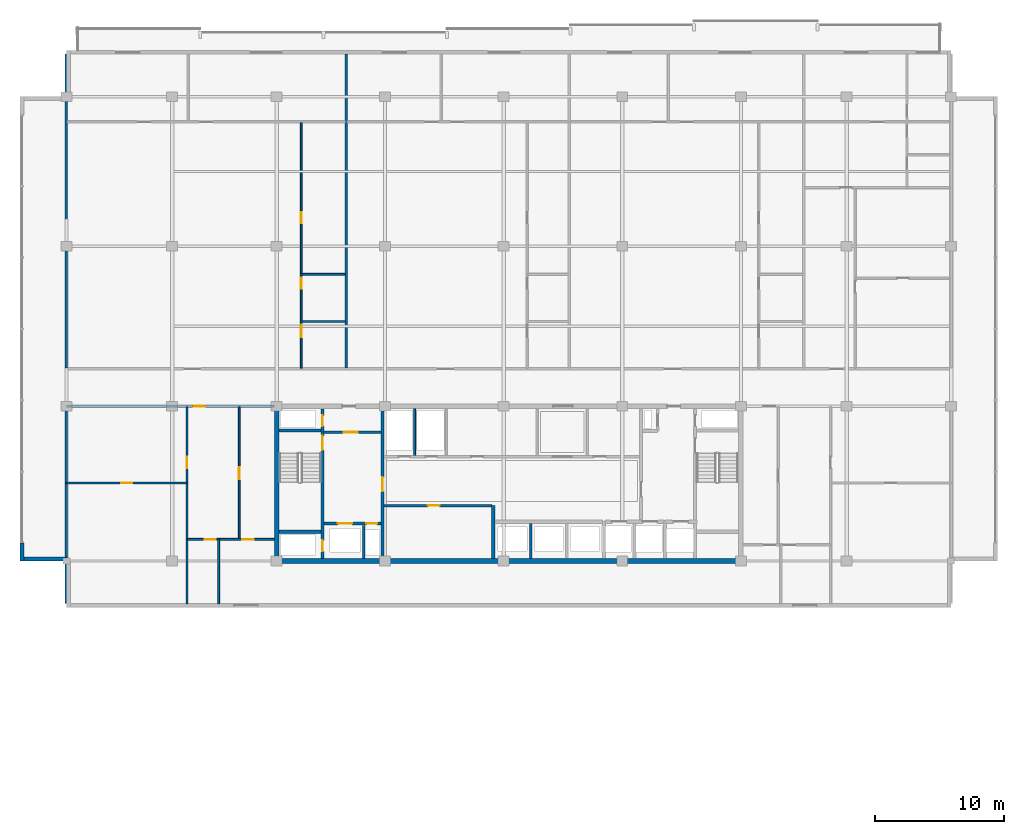
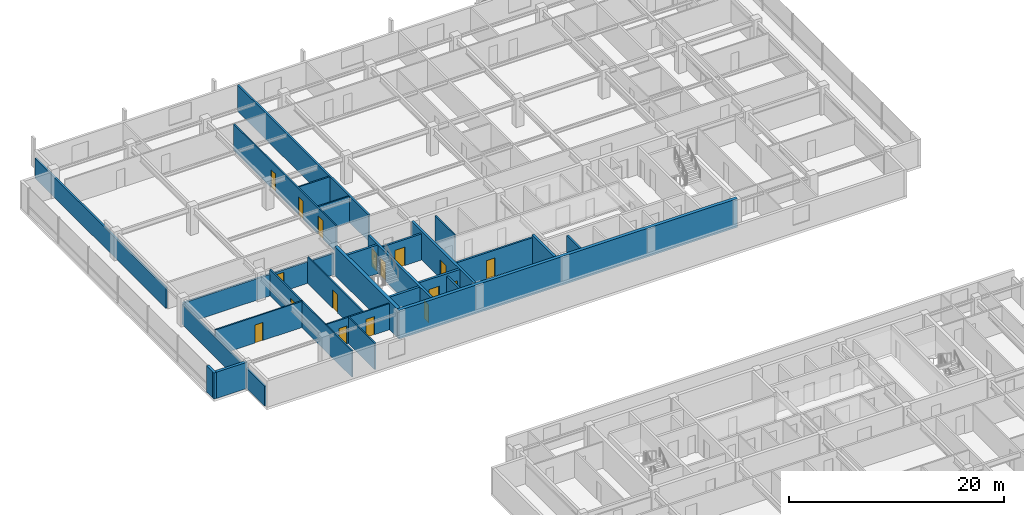
# One storey, part 22 of 32: 27 walls, 17 doors, 17 openings.
"""IFC4 building model written with IfcOpenShell, lengths in metres."""

from ifc_helpers import new_model, si_unit, direction, frame, frame_2d, origin, place, context, subcontext, project, spatial, rectangle, extrude, material, layer, layer_set, type_object, element, fill, save


model = new_model("IFC4")

# Units and contexts
model_context = context("Model", 3, precision=1e-05, world=origin(), true_north=direction((0.0, 1.0)))
body_context = subcontext(model_context, "Body", "Model", "MODEL_VIEW")
ifc_project = project(units=[si_unit("LENGTHUNIT", "METRE"), si_unit("AREAUNIT", "SQUARE_METRE"), si_unit("VOLUMEUNIT", "CUBIC_METRE"), si_unit("PLANEANGLEUNIT", "RADIAN"), si_unit("MASSUNIT", "GRAM", prefix="KILO")], contexts=[model_context])

# Site, building, storey
site_placement = place(None, origin())
site = spatial("IfcSite", under=ifc_project, at=site_placement, CompositionType="ELEMENT")
building_placement = place(site_placement, origin())
building = spatial("IfcBuilding", under=site, at=building_placement, Name="Korimba Cascade Residences", CompositionType="ELEMENT")
storey_placement = place(building_placement, frame((0.0, 0.0, 178.35009765625)))
storey = spatial("IfcBuildingStorey", under=building, at=storey_placement, Name="L51", CompositionType="ELEMENT", Elevation=178.35009765625)

# Walls
ifc_material_1 = material(Name="Precast concrete C40/50", Category="concrete")
ifc_layer_1 = layer(ifc_material_1, 0.300048828125)
ifc_layer_set_1 = layer_set([ifc_layer_1], Name="Precast concrete C40/50")
wall_type_1 = type_object("IfcWallType", Name="EW-STONE-300", PredefinedType="STANDARD", material=ifc_layer_set_1)
wall_1_placement = place(storey_placement, frame((56.35009765625, 56.60009765625, 0.0), z_axis=(0.0, 0.0, 1.0), x_axis=(0.0, -1.0, 0.0)))
element("IfcWall", 1, at=wall_1_placement, inside=storey, type_object=wall_type_1, Name="L51 T1 Sky Pier 9B", PredefinedType="STANDARD", context=body_context, shape_type="SweptSolid", body=[
    extrude(rectangle(XDim=1.400146484375, YDim=0.300048828125, at=frame_2d((0.7001953125, 0.0))), origin(), (0.0, 0.0, 1.0), 2.969970703125),
])
wall_2_placement = place(storey_placement, frame((56.199951171875, 55.35009765625, 0.0), z_axis=(0.0, 0.0, 1.0), x_axis=(1.0, 0.0, 0.0)))
element("IfcWall", 2, at=wall_2_placement, inside=storey, type_object=wall_type_1, Name="L51 T1 Perimeter Stone Wall E10", PredefinedType="STANDARD", context=body_context, shape_type="SweptSolid", body=[
    extrude(rectangle(XDim=3.60009765625, YDim=0.300048828125, at=frame_2d((1.800048828125, 0.0))), origin(), (0.0, 0.0, 1.0), 2.969970703125),
])
ifc_material_2 = material(Name="Concrete C65/80", Category="concrete")
ifc_layer_2 = layer(ifc_material_2, 0.35009765625)
ifc_layer_set_2 = layer_set([ifc_layer_2], Name="Concrete C65/80")
wall_type_2 = type_object("IfcWallType", Name="WAL-CORE-350", PredefinedType="SHEAR", material=ifc_layer_set_2)
wall_3_placement = place(storey_placement, frame((75.949951171875, 55.199951171875, 0.0), z_axis=(0.0, 0.0, 1.0), x_axis=(1.0, 0.0, 0.0)))
element("IfcWall", 3, at=wall_3_placement, inside=storey, type_object=wall_type_2, Name="L51 Core Shear Wall CW-L51-T1-S", PredefinedType="SHEAR", context=body_context, shape_type="SweptSolid", body=[
    extrude(rectangle(XDim=36.300048828125, YDim=0.35009765625, at=frame_2d((18.14990234375, 0.0))), origin(), (0.0, 0.0, 1.0), 3.25),
])
wall_4_placement = place(storey_placement, frame((76.125, 55.375, 0.0), z_axis=(0.0, 0.0, 1.0), x_axis=(0.0, 1.0, 0.0)))
element("IfcWall", 4, at=wall_4_placement, inside=storey, type_object=wall_type_2, Name="L51 Core Shear Wall CW-L51-T1-W", PredefinedType="SHEAR", context=body_context, shape_type="SweptSolid", body=[
    extrude(rectangle(XDim=11.64990234375, YDim=0.35009765625, at=frame_2d((5.824951171875, 0.0))), origin(), (0.0, 0.0, 1.0), 3.25),
])
ifc_layer_3 = layer(ifc_material_1, 0.199951171875)
ifc_layer_set_3 = layer_set([ifc_layer_3], Name="Precast concrete C40/50")
wall_type_3 = type_object("IfcWallType", Name="WAL-IT-200", PredefinedType="PARTITIONING", material=ifc_layer_set_3)
wall_5_placement = place(storey_placement, frame((59.800048828125, 51.89990234375, 0.0), z_axis=(0.0, 0.0, 1.0), x_axis=(0.0, 1.0, 0.0)))
element("IfcWall", 5, at=wall_5_placement, inside=storey, type_object=wall_type_3, Name="L51 Partition Wall WAL-L51-T1-FW-WL", PredefinedType="PARTITIONING", context=body_context, shape_type="SweptSolid", body=[
    extrude(rectangle(XDim=15.300048828125, YDim=0.199951171875, at=frame_2d((7.64990234375, 0.0))), origin(), (0.0, 0.0, 1.0), 2.277099609375),
])

# Wall, opening, door
wall_6_placement = place(storey_placement, frame((59.800048828125, 67.199951171875, 0.0), z_axis=(0.0, 0.0, 1.0), x_axis=(1.0, 0.0, 0.0)))
wall_6 = element("IfcWall", 6, at=wall_6_placement, inside=storey, type_object=wall_type_3, Name="L51 Partition Wall WAL-L51-T1-FW-N", PredefinedType="PARTITIONING", context=body_context, shape_type="SweptSolid", body=[
    extrude(rectangle(XDim=16.14990234375, YDim=0.199951171875, at=frame_2d((8.074951171875, 0.0))), origin(), (0.0, 0.0, 1.0), 2.43310546875),
])
opening_1_placement = place(wall_6_placement, frame((9.823486328125, 0.0, 0.0)))
opening_1 = element("IfcOpeningElement", 7, at=opening_1_placement, cuts=wall_6, Name="Opening D-UN1", PredefinedType="OPENING", context=body_context, shape_type="SweptSolid", body=[
    extrude(rectangle(XDim=0.949951171875, YDim=2.14990234375, at=frame_2d((0.47509765625, 1.074951171875))), frame((0.0, 0.10986328125, 0.0), z_axis=(0.0, -1.0, 0.0), x_axis=(1.0, 0.0, 0.0)), (0.0, 0.0, 1.0), 0.219970703125),
])
ifc_material_3 = material(Name="Fire-Rated Hardwood Apartment Entrance Door", Category="wood")
door_type_1 = type_object("IfcDoorType", Name="DR-FD60-950", OperationType="NOTDEFINED", PredefinedType="DOOR", material=ifc_material_3)
door_1_placement = place(opening_1_placement, origin())
door_1 = element("IfcDoor", 8, at=door_1_placement, inside=storey, type_object=door_type_1, Name="L51-T1-FW Entrance Door", OperationType="SINGLE_SWING_RIGHT", OverallHeight=2.14990234375, OverallWidth=0.949951171875, PredefinedType="DOOR", context=body_context, shape_type="SweptSolid", body=[
    extrude(rectangle(XDim=0.949951171875, YDim=2.14990234375, at=frame_2d((0.47509765625, 1.074951171875))), frame((0.0, 0.02490234375, 0.0), z_axis=(0.0, -1.0, 0.0), x_axis=(1.0, 0.0, 0.0)), (0.0, 0.0, 1.0), 0.050048828125),
])
fill(opening_1, door_1)

# Walls
wall_7_placement = place(storey_placement, frame((59.800048828125, 70.179931640625, 0.0), z_axis=(0.0, 0.0, 1.0), x_axis=(0.0, 1.0, 0.0)))
element("IfcWall", 9, at=wall_7_placement, inside=storey, type_object=wall_type_3, Name="L51 Partition Wall WAL-L51-T1-BNDWL", PredefinedType="PARTITIONING", context=body_context, shape_type="SweptSolid", body=[
    extrude(rectangle(XDim=24.320068359375, YDim=0.199951171875, at=frame_2d((12.16015625, 0.0))), origin(), (0.0, 0.0, 1.0), 2.277099609375),
])
wall_8_placement = place(storey_placement, frame((81.5078125, 70.179931640625, 0.0), z_axis=(0.0, 0.0, 1.0), x_axis=(0.0, 1.0, 0.0)))
element("IfcWall", 10, at=wall_8_placement, inside=storey, type_object=wall_type_3, Name="L51 Partition Wall WAL-L51-T1-DEM-1", PredefinedType="PARTITIONING", context=body_context, shape_type="SweptSolid", body=[
    extrude(rectangle(XDim=24.320068359375, YDim=0.199951171875, at=frame_2d((12.16015625, 0.0))), origin(), (0.0, 0.0, 1.0), 2.969970703125),
])
ifc_material_4 = material(Name="Insulated Acoustic Stud Partition", Category="gypsum")
ifc_layer_4 = layer(ifc_material_4, 0.14990234375)
ifc_layer_set_4 = layer_set([ifc_layer_4], Name="Insulated Acoustic Stud Partition")
wall_type_4 = type_object("IfcWallType", Name="WAL-PART-150", PredefinedType="PARTITIONING", material=ifc_layer_set_4)
wall_9_placement = place(storey_placement, frame((86.800048828125, 63.39990234375, 0.0), z_axis=(0.0, 0.0, 1.0), x_axis=(0.0, 1.0, 0.0)))
element("IfcWall", 11, at=wall_9_placement, inside=storey, type_object=wall_type_4, Name="L51 Partition Wall CW-L51-T1-ERDIV", PredefinedType="PARTITIONING", context=body_context, shape_type="SweptSolid", body=[
    extrude(rectangle(XDim=3.60009765625, YDim=0.14990234375, at=frame_2d((1.800048828125, 0.0))), origin(), (0.0, 0.0, 1.0), 2.969970703125),
])

# Wall, opening, door
wall_10_placement = place(storey_placement, frame((59.800048828125, 61.25, 0.0), z_axis=(0.0, 0.0, 1.0), x_axis=(1.0, 0.0, 0.0)))
wall_10 = element("IfcWall", 12, at=wall_10_placement, inside=storey, type_object=wall_type_4, Name="L51 Partition Wall WAL-L51-T1-FW-STH", PredefinedType="PARTITIONING", context=body_context, shape_type="SweptSolid", body=[
    extrude(rectangle(XDim=9.349853515625, YDim=0.14990234375, at=frame_2d((4.6748046875, 0.0))), origin(), (0.0, 0.0, 1.0), 2.969970703125),
])
opening_2_placement = place(wall_10_placement, frame((4.2548828125, 0.0, 0.0)))
opening_2 = element("IfcOpeningElement", 13, at=opening_2_placement, cuts=wall_10, Name="Opening D-BT1", PredefinedType="OPENING", context=body_context, shape_type="SweptSolid", body=[
    extrude(rectangle(XDim=0.840087890625, YDim=2.0400390625, at=frame_2d((0.419921875, 1.02001953125))), frame((0.0, 0.0849609375, 0.0), z_axis=(0.0, -1.0, 0.0), x_axis=(1.0, 0.0, 0.0)), (0.0, 0.0, 1.0), 0.169921875),
])
ifc_material_5 = material(Name="Moisture-Resistant Bathroom Timber Door", Category="wood")
door_type_2 = type_object("IfcDoorType", Name="DR-INT-850", OperationType="NOTDEFINED", PredefinedType="DOOR", material=ifc_material_5)
door_2_placement = place(opening_2_placement, origin())
door_2 = element("IfcDoor", 14, at=door_2_placement, inside=storey, type_object=door_type_2, Name="L51-T1-FW Dressing Store Door", OperationType="SINGLE_SWING_LEFT", OverallHeight=2.0400390625, OverallWidth=0.840087890625, PredefinedType="DOOR", context=body_context, shape_type="SweptSolid", body=[
    extrude(rectangle(XDim=0.840087890625, YDim=2.0400390625, at=frame_2d((0.419921875, 1.02001953125))), frame((0.0, 0.02490234375, 0.0), z_axis=(0.0, -1.0, 0.0), x_axis=(1.0, 0.0, 0.0)), (0.0, 0.0, 1.0), 0.050048828125),
])
fill(opening_2, door_2)

wall_11_placement = place(storey_placement, frame((69.14990234375, 51.89990234375, 0.0), z_axis=(0.0, 0.0, 1.0), x_axis=(0.0, 1.0, 0.0)))
wall_11 = element("IfcWall", 15, at=wall_11_placement, inside=storey, type_object=wall_type_4, Name="L51 Partition Wall WAL-L51-T1-FW-STV", PredefinedType="PARTITIONING", context=body_context, shape_type="SweptSolid", body=[
    extrude(rectangle(XDim=15.25, YDim=0.14990234375, at=frame_2d((7.625, 0.0))), origin(), (0.0, 0.0, 1.0), 2.969970703125),
])
opening_3_placement = place(wall_11_placement, frame((10.5, 0.0, 0.0)))
opening_3 = element("IfcOpeningElement", 16, at=opening_3_placement, cuts=wall_11, Name="Opening D-IN2", PredefinedType="OPENING", context=body_context, shape_type="SweptSolid", body=[
    extrude(rectangle(XDim=0.8798828125, YDim=2.06005859375, at=frame_2d((0.43994140625, 1.030029296875))), frame((0.0, 0.0849609375, 0.0), z_axis=(0.0, -1.0, 0.0), x_axis=(1.0, 0.0, 0.0)), (0.0, 0.0, 1.0), 0.169921875),
])
ifc_material_6 = material(Name="Acoustic Timber Bedroom Door", Category="wood")
door_type_3 = type_object("IfcDoorType", Name="DR-INT-880", OperationType="NOTDEFINED", PredefinedType="DOOR", material=ifc_material_6)
door_3_placement = place(opening_3_placement, origin())
door_3 = element("IfcDoor", 17, at=door_3_placement, inside=storey, type_object=door_type_3, Name="L51-T1-FW Study Door", OperationType="SINGLE_SWING_RIGHT", OverallHeight=2.06005859375, OverallWidth=0.8798828125, PredefinedType="DOOR", context=body_context, shape_type="SweptSolid", body=[
    extrude(rectangle(XDim=0.8798828125, YDim=2.06005859375, at=frame_2d((0.43994140625, 1.030029296875))), frame((0.0, 0.02490234375, 0.0), z_axis=(0.0, -1.0, 0.0), x_axis=(1.0, 0.0, 0.0)), (0.0, 0.0, 1.0), 0.050048828125),
])
fill(opening_3, door_3)

wall_12_placement = place(storey_placement, frame((73.199951171875, 56.8701171875, 0.0), z_axis=(0.0, 0.0, 1.0), x_axis=(0.0, 1.0, 0.0)))
wall_12 = element("IfcWall", 18, at=wall_12_placement, inside=storey, type_object=wall_type_4, Name="L51 Partition Wall WAL-L51-T1-FW-VN", PredefinedType="PARTITIONING", context=body_context, shape_type="SweptSolid", body=[
    extrude(rectangle(XDim=10.27978515625, YDim=0.14990234375, at=frame_2d((5.139892578125, 0.0))), origin(), (0.0, 0.0, 1.0), 2.969970703125),
])
opening_4_placement = place(wall_12_placement, frame((4.679931640625, 0.0, 0.0)))
opening_4 = element("IfcOpeningElement", 19, at=opening_4_placement, cuts=wall_12, Name="Opening D-IN1", PredefinedType="OPENING", context=body_context, shape_type="SweptSolid", body=[
    extrude(rectangle(XDim=0.919921875, YDim=2.080078125, at=frame_2d((0.4599609375, 1.0400390625))), frame((0.0, 0.0849609375, 0.0), z_axis=(0.0, -1.0, 0.0), x_axis=(1.0, 0.0, 0.0)), (0.0, 0.0, 1.0), 0.169921875),
])
ifc_material_7 = material(Name="Acoustic Timber Living Door", Category="wood")
door_type_4 = type_object("IfcDoorType", Name="DR-INT-920", OperationType="NOTDEFINED", PredefinedType="DOOR", material=ifc_material_7)
door_4_placement = place(opening_4_placement, origin())
door_4 = element("IfcDoor", 20, at=door_4_placement, inside=storey, type_object=door_type_4, Name="L51-T1-FW Living Door", OperationType="SINGLE_SWING_LEFT", OverallHeight=2.080078125, OverallWidth=0.919921875, PredefinedType="DOOR", context=body_context, shape_type="SweptSolid", body=[
    extrude(rectangle(XDim=0.919921875, YDim=2.080078125, at=frame_2d((0.4599609375, 1.0400390625))), frame((0.0, 0.02490234375, 0.0), z_axis=(0.0, -1.0, 0.0), x_axis=(1.0, 0.0, 0.0)), (0.0, 0.0, 1.0), 0.050048828125),
])
fill(opening_4, door_4)

# Wall
wall_13_placement = place(storey_placement, frame((71.60009765625, 51.89990234375, 0.0), z_axis=(0.0, 0.0, 1.0), x_axis=(0.0, 1.0, 0.0)))
element("IfcWall", 21, at=wall_13_placement, inside=storey, type_object=wall_type_4, Name="L51 Partition Wall WAL-L51-T1-FW-VS", PredefinedType="PARTITIONING", context=body_context, shape_type="SweptSolid", body=[
    extrude(rectangle(XDim=4.97021484375, YDim=0.14990234375, at=frame_2d((2.485107421875, 0.0))), origin(), (0.0, 0.0, 1.0), 2.969970703125),
])

# Wall, openings, doors
wall_14_placement = place(storey_placement, frame((69.169921875, 56.8701171875, 0.0), z_axis=(0.0, 0.0, 1.0), x_axis=(1.0, 0.0, 0.0)))
wall_14 = element("IfcWall", 22, at=wall_14_placement, inside=storey, type_object=wall_type_4, Name="L51 Partition Wall WAL-L51-T1-FW-H", PredefinedType="PARTITIONING", context=body_context, shape_type="SweptSolid", body=[
    extrude(rectangle(XDim=6.760009765625, YDim=0.14990234375, at=frame_2d((3.3798828125, 0.0))), origin(), (0.0, 0.0, 1.0), 2.969970703125),
])
opening_5_placement = place(wall_14_placement, frame((1.3623046875, 0.0, 0.0)))
opening_5 = element("IfcOpeningElement", 23, at=opening_5_placement, cuts=wall_14, Name="Opening D-BT1", PredefinedType="OPENING", context=body_context, shape_type="SweptSolid", body=[
    extrude(rectangle(XDim=0.840087890625, YDim=2.0400390625, at=frame_2d((0.419921875, 1.02001953125))), frame((0.0, 0.0849609375, 0.0), z_axis=(0.0, -1.0, 0.0), x_axis=(1.0, 0.0, 0.0)), (0.0, 0.0, 1.0), 0.169921875),
])
opening_6_placement = place(wall_14_placement, frame((4.276611328125, 0.0, 0.0)))
opening_6 = element("IfcOpeningElement", 24, at=opening_6_placement, cuts=wall_14, Name="Opening D-IN2", PredefinedType="OPENING", context=body_context, shape_type="SweptSolid", body=[
    extrude(rectangle(XDim=0.8798828125, YDim=2.06005859375, at=frame_2d((0.43994140625, 1.030029296875))), frame((0.0, 0.0849609375, 0.0), z_axis=(0.0, -1.0, 0.0), x_axis=(1.0, 0.0, 0.0)), (0.0, 0.0, 1.0), 0.169921875),
])
door_5_placement = place(opening_5_placement, origin())
door_5 = element("IfcDoor", 25, at=door_5_placement, inside=storey, type_object=door_type_2, Name="L51-T1-FW Bathroom Door", OperationType="SINGLE_SWING_RIGHT", OverallHeight=2.0400390625, OverallWidth=0.840087890625, PredefinedType="DOOR", context=body_context, shape_type="SweptSolid", body=[
    extrude(rectangle(XDim=0.840087890625, YDim=2.0400390625, at=frame_2d((0.419921875, 1.02001953125))), frame((0.0, 0.02490234375, 0.0), z_axis=(0.0, -1.0, 0.0), x_axis=(1.0, 0.0, 0.0)), (0.0, 0.0, 1.0), 0.050048828125),
])
fill(opening_5, door_5)
door_6_placement = place(opening_6_placement, origin())
door_6 = element("IfcDoor", 26, at=door_6_placement, inside=storey, type_object=door_type_3, Name="L51-T1-FW Bedroom Door", OperationType="SINGLE_SWING_LEFT", OverallHeight=2.06005859375, OverallWidth=0.8798828125, PredefinedType="DOOR", context=body_context, shape_type="SweptSolid", body=[
    extrude(rectangle(XDim=0.8798828125, YDim=2.06005859375, at=frame_2d((0.43994140625, 1.030029296875))), frame((0.0, 0.02490234375, 0.0), z_axis=(0.0, -1.0, 0.0), x_axis=(1.0, 0.0, 0.0)), (0.0, 0.0, 1.0), 0.050048828125),
])
fill(opening_6, door_6)

# Walls
for number, where, z_axis, x_axis, name in (
    (27, (78.067626953125, 73.77001953125, 0.0), (0.0, 0.0, 1.0), (1.0, 0.0, 0.0), "L51 Partition Wall WAL-L51-T1-U01-WCH"),
    (28, (78.067626953125, 77.419921875, 0.0), (0.0, 0.0, 1.0), (1.0, 0.0, 0.0), "L51 Partition Wall WAL-L51-T1-U01-WCH2"),
):
    element("IfcWall", number, at=place(storey_placement, frame(where, z_axis=z_axis, x_axis=x_axis)), inside=storey, type_object=wall_type_4, Name=name, PredefinedType="PARTITIONING", context=body_context, shape_type="SweptSolid", body=[
        extrude(rectangle(XDim=3.360107421875, YDim=0.14990234375, at=frame_2d((1.68017578125, 0.0))), origin(), (0.0, 0.0, 1.0), 2.969970703125),
    ])

# Wall, openings, doors
wall_15_placement = place(storey_placement, frame((78.0078125, 70.159912109375, 0.0), z_axis=(0.0, 0.0, 1.0), x_axis=(0.0, 1.0, 0.0)))
wall_15 = element("IfcWall", 29, at=wall_15_placement, inside=storey, type_object=wall_type_4, Name="L51 Partition Wall WAL-L51-T1-U01-WCV", PredefinedType="PARTITIONING", context=body_context, shape_type="SweptSolid", body=[
    extrude(rectangle(XDim=19.030029296875, YDim=0.14990234375, at=frame_2d((9.51513671875, 0.0))), origin(), (0.0, 0.0, 1.0), 2.969970703125),
])
opening_7_placement = place(wall_15_placement, frame((2.406005859375, 0.0, 0.0)))
opening_7 = element("IfcOpeningElement", 30, at=opening_7_placement, cuts=wall_15, Name="Opening D-AC1", PredefinedType="OPENING", context=body_context, shape_type="SweptSolid", body=[
    extrude(rectangle(XDim=0.9599609375, YDim=2.10009765625, at=frame_2d((0.47998046875, 1.050048828125))), frame((0.0, 0.0849609375, 0.0), z_axis=(0.0, -1.0, 0.0), x_axis=(1.0, 0.0, 0.0)), (0.0, 0.0, 1.0), 0.169921875),
])
opening_8_placement = place(wall_15_placement, frame((6.132568359375, 0.0, 0.0)))
opening_8 = element("IfcOpeningElement", 31, at=opening_8_placement, cuts=wall_15, Name="Opening D-IN2", PredefinedType="OPENING", context=body_context, shape_type="SweptSolid", body=[
    extrude(rectangle(XDim=0.8798828125, YDim=2.06005859375, at=frame_2d((0.43994140625, 1.030029296875))), frame((0.0, 0.0849609375, 0.0), z_axis=(0.0, -1.0, 0.0), x_axis=(1.0, 0.0, 0.0)), (0.0, 0.0, 1.0), 0.169921875),
])
opening_9_placement = place(wall_15_placement, frame((11.229248046875, 0.0, 0.0)))
opening_9 = element("IfcOpeningElement", 32, at=opening_9_placement, cuts=wall_15, Name="Opening D-BT1", PredefinedType="OPENING", context=body_context, shape_type="SweptSolid", body=[
    extrude(rectangle(XDim=0.840087890625, YDim=2.0400390625, at=frame_2d((0.419921875, 1.02001953125))), frame((0.0, 0.0849609375, 0.0), z_axis=(0.0, -1.0, 0.0), x_axis=(1.0, 0.0, 0.0)), (0.0, 0.0, 1.0), 0.169921875),
])
ifc_material_8 = material(Name="Accessible Acoustic Timber WC Door", Category="wood")
door_type_5 = type_object("IfcDoorType", Name="DR-ACC-950", OperationType="NOTDEFINED", PredefinedType="DOOR", material=ifc_material_8)
door_7_placement = place(opening_7_placement, origin())
door_7 = element("IfcDoor", 33, at=door_7_placement, inside=storey, type_object=door_type_5, Name="L51-T1-U01 Accessible WC Door", OperationType="SINGLE_SWING_LEFT", OverallHeight=2.10009765625, OverallWidth=0.9599609375, PredefinedType="DOOR", context=body_context, shape_type="SweptSolid", body=[
    extrude(rectangle(XDim=0.9599609375, YDim=2.10009765625, at=frame_2d((0.47998046875, 1.050048828125))), frame((0.0, 0.02490234375, 0.0), z_axis=(0.0, -1.0, 0.0), x_axis=(1.0, 0.0, 0.0)), (0.0, 0.0, 1.0), 0.050048828125),
])
fill(opening_7, door_7)
door_8_placement = place(opening_9_placement, origin())
door_8 = element("IfcDoor", 34, at=door_8_placement, inside=storey, type_object=door_type_2, Name="L51-T1-U01 Suite Store Door", OperationType="SINGLE_SWING_LEFT", OverallHeight=2.0400390625, OverallWidth=0.840087890625, PredefinedType="DOOR", context=body_context, shape_type="SweptSolid", body=[
    extrude(rectangle(XDim=0.840087890625, YDim=2.0400390625, at=frame_2d((0.419921875, 1.02001953125))), frame((0.0, 0.02490234375, 0.0), z_axis=(0.0, -1.0, 0.0), x_axis=(1.0, 0.0, 0.0)), (0.0, 0.0, 1.0), 0.050048828125),
])
fill(opening_9, door_8)
door_9_placement = place(opening_8_placement, origin())
door_9 = element("IfcDoor", 35, at=door_9_placement, inside=storey, type_object=door_type_3, Name="L51-T1-U01 Restroom WC Door", OperationType="SINGLE_SWING_RIGHT", OverallHeight=2.06005859375, OverallWidth=0.8798828125, PredefinedType="DOOR", context=body_context, shape_type="SweptSolid", body=[
    extrude(rectangle(XDim=0.8798828125, YDim=2.06005859375, at=frame_2d((0.43994140625, 1.030029296875))), frame((0.0, 0.02490234375, 0.0), z_axis=(0.0, -1.0, 0.0), x_axis=(1.0, 0.0, 0.0)), (0.0, 0.0, 1.0), 0.050048828125),
])
fill(opening_8, door_9)

# Wall
ifc_material_9 = material(Name="Concrete C40/50", Category="concrete")
ifc_layer_5 = layer(ifc_material_9, 0.199951171875)
ifc_layer_set_5 = layer_set([ifc_layer_5], Name="Concrete C40/50")
wall_type_5 = type_object("IfcWallType", Name="WAL-PART-200", PredefinedType="PARTITIONING", material=ifc_layer_set_5)
wall_16_placement = place(storey_placement, frame((82.85009765625, 55.39990234375, 0.0), z_axis=(0.0, 0.0, 1.0), x_axis=(0.0, 1.0, 0.0)))
element("IfcWall", 36, at=wall_16_placement, inside=storey, type_object=wall_type_5, Name="L51 Partition Wall CW-L51-T1-FFLDIV", PredefinedType="PARTITIONING", context=body_context, shape_type="SweptSolid", body=[
    extrude(rectangle(XDim=2.56005859375, YDim=0.199951171875, at=frame_2d((1.280029296875, 0.0))), origin(), (0.0, 0.0, 1.0), 2.969970703125),
])

# Wall, opening, door
wall_17_placement = place(storey_placement, frame((79.7900390625, 65.179931640625, 0.0), z_axis=(0.0, 0.0, 1.0), x_axis=(1.0, 0.0, 0.0)))
wall_17 = element("IfcWall", 37, at=wall_17_placement, inside=storey, type_object=wall_type_5, Name="L51 Partition Wall CW-L51-T1-FFLN", PredefinedType="PARTITIONING", context=body_context, shape_type="SweptSolid", body=[
    extrude(rectangle(XDim=4.389892578125, YDim=0.199951171875, at=frame_2d((2.19482421875, 0.0))), origin(), (0.0, 0.0, 1.0), 2.969970703125),
])
opening_10_placement = place(wall_17_placement, frame((1.5, 0.0, 0.0)))
opening_10 = element("IfcOpeningElement", 38, at=opening_10_placement, cuts=wall_17, Name="Opening D-FD1", PredefinedType="OPENING", context=body_context, shape_type="SweptSolid", body=[
    extrude(rectangle(XDim=1.10009765625, YDim=2.10009765625, at=frame_2d((0.550048828125, 1.050048828125))), frame((0.0, 0.10986328125, 0.0), z_axis=(0.0, -1.0, 0.0), x_axis=(1.0, 0.0, 0.0)), (0.0, 0.0, 1.0), 0.219970703125),
])
ifc_material_10 = material(Name="Fire-Rated Steel Core Door", Category="steel")
door_type_6 = type_object("IfcDoorType", Name="DR-FD120-1100", OperationType="NOTDEFINED", PredefinedType="DOOR", material=ifc_material_10)
door_10_placement = place(opening_10_placement, origin())
door_10 = element("IfcDoor", 39, at=door_10_placement, inside=storey, type_object=door_type_6, Name="L51 West Firefighting Lobby Door", OperationType="SINGLE_SWING_RIGHT", OverallHeight=2.10009765625, OverallWidth=1.10009765625, PredefinedType="DOOR", context=body_context, shape_type="SweptSolid", body=[
    extrude(rectangle(XDim=1.10009765625, YDim=2.10009765625, at=frame_2d((0.550048828125, 1.050048828125))), frame((0.0, 0.02490234375, 0.0), z_axis=(0.0, -1.0, 0.0), x_axis=(1.0, 0.0, 0.0)), (0.0, 0.0, 1.0), 0.050048828125),
])
fill(opening_10, door_10)

wall_18_placement = place(storey_placement, frame((84.419921875, 59.5, 0.0), z_axis=(0.0, 0.0, 1.0), x_axis=(1.0, 0.0, 0.0)))
wall_18 = element("IfcWall", 40, at=wall_18_placement, inside=storey, type_object=wall_type_5, Name="L51 Partition Wall CW-L51-T1-B1RN", PredefinedType="PARTITIONING", context=body_context, shape_type="SweptSolid", body=[
    extrude(rectangle(XDim=8.360107421875, YDim=0.199951171875, at=frame_2d((4.18017578125, 0.0))), origin(), (0.0, 0.0, 1.0), 2.969970703125),
])
opening_11_placement = place(wall_18_placement, frame((3.39990234375, 0.0, 0.0)))
opening_11 = element("IfcOpeningElement", 41, at=opening_11_placement, cuts=wall_18, Name="Opening D-ST1", PredefinedType="OPENING", context=body_context, shape_type="SweptSolid", body=[
    extrude(rectangle(XDim=0.919921875, YDim=2.080078125, at=frame_2d((0.4599609375, 1.0400390625))), frame((0.0, 0.10986328125, 0.0), z_axis=(0.0, -1.0, 0.0), x_axis=(1.0, 0.0, 0.0)), (0.0, 0.0, 1.0), 0.219970703125),
])
ifc_material_11 = material(Name="Fire-Rated Core Store Door", Category="wood")
door_type_7 = type_object("IfcDoorType", Name="DR-FD60-920", OperationType="NOTDEFINED", PredefinedType="DOOR", material=ifc_material_11)
door_11_placement = place(opening_11_placement, origin())
door_11 = element("IfcDoor", 42, at=door_11_placement, inside=storey, type_object=door_type_7, Name="L51 Resident Storage Door", OperationType="SINGLE_SWING_RIGHT", OverallHeight=2.080078125, OverallWidth=0.919921875, PredefinedType="DOOR", context=body_context, shape_type="SweptSolid", body=[
    extrude(rectangle(XDim=0.919921875, YDim=2.080078125, at=frame_2d((0.4599609375, 1.0400390625))), frame((0.0, 0.02490234375, 0.0), z_axis=(0.0, -1.0, 0.0), x_axis=(1.0, 0.0, 0.0)), (0.0, 0.0, 1.0), 0.050048828125),
])
fill(opening_11, door_11)

# Wall
wall_19_placement = place(storey_placement, frame((95.800048828125, 55.39990234375, 0.0), z_axis=(0.0, 0.0, 1.0), x_axis=(0.0, 1.0, 0.0)))
element("IfcWall", 43, at=wall_19_placement, inside=storey, type_object=wall_type_5, Name="L51 Partition Wall CW-L51-T1-B2D1", PredefinedType="PARTITIONING", context=body_context, shape_type="SweptSolid", body=[
    extrude(rectangle(XDim=2.72021484375, YDim=0.199951171875, at=frame_2d((1.360107421875, 0.0))), origin(), (0.0, 0.0, 1.0), 2.969970703125),
])

# Wall, openings, doors
ifc_material_12 = material(Name="Concrete C50/60", Category="concrete")
ifc_layer_6 = layer(ifc_material_12, 0.25)
ifc_layer_set_6 = layer_set([ifc_layer_6], Name="Concrete C50/60")
wall_type_6 = type_object("IfcWallType", Name="WAL-SHAFT-250", PredefinedType="SHEAR", material=ifc_layer_set_6)
wall_20_placement = place(storey_placement, frame((79.6650390625, 55.39990234375, 0.0), z_axis=(0.0, 0.0, 1.0), x_axis=(0.0, 1.0, 0.0)))
wall_20 = element("IfcWall", 44, at=wall_20_placement, inside=storey, type_object=wall_type_6, Name="L51 Core Shear Wall CW-L51-T1-STW1E", PredefinedType="SHEAR", context=body_context, shape_type="SweptSolid", body=[
    extrude(rectangle(XDim=11.60009765625, YDim=0.25, at=frame_2d((5.800048828125, 0.0))), origin(), (0.0, 0.0, 1.0), 3.25),
])
opening_12_placement = place(wall_20_placement, frame((0.550048828125, 0.0, 0.0)))
opening_12 = element("IfcOpeningElement", 45, at=opening_12_placement, cuts=wall_20, Name="Opening D-RS1", PredefinedType="OPENING", context=body_context, shape_type="SweptSolid", body=[
    extrude(rectangle(XDim=0.85009765625, YDim=2.050048828125, at=frame_2d((0.425048828125, 1.02490234375))), frame((0.0, 0.135009765625, 0.0), z_axis=(0.0, -1.0, 0.0), x_axis=(1.0, 0.0, 0.0)), (0.0, 0.0, 1.0), 0.27001953125),
])
opening_13_placement = place(wall_20_placement, frame((8.39990234375, 0.0, 0.0)))
opening_13 = element("IfcOpeningElement", 46, at=opening_13_placement, cuts=wall_20, Name="Opening D-FD1", PredefinedType="OPENING", context=body_context, shape_type="SweptSolid", body=[
    extrude(rectangle(XDim=1.10009765625, YDim=2.10009765625, at=frame_2d((0.550048828125, 1.050048828125))), frame((0.0, 0.135009765625, 0.0), z_axis=(0.0, -1.0, 0.0), x_axis=(1.0, 0.0, 0.0)), (0.0, 0.0, 1.0), 0.27001953125),
])
opening_14_placement = place(wall_20_placement, frame((10.25, 0.0, 0.0)))
opening_14 = element("IfcOpeningElement", 47, at=opening_14_placement, cuts=wall_20, Name="Opening D-RS1", PredefinedType="OPENING", context=body_context, shape_type="SweptSolid", body=[
    extrude(rectangle(XDim=0.85009765625, YDim=2.050048828125, at=frame_2d((0.425048828125, 1.02490234375))), frame((0.0, 0.135009765625, 0.0), z_axis=(0.0, -1.0, 0.0), x_axis=(1.0, 0.0, 0.0)), (0.0, 0.0, 1.0), 0.27001953125),
])
door_12_placement = place(opening_13_placement, origin())
door_12 = element("IfcDoor", 48, at=door_12_placement, inside=storey, type_object=door_type_6, Name="L51 Fire Stair ST-W1 Door", OperationType="SINGLE_SWING_LEFT", OverallHeight=2.10009765625, OverallWidth=1.10009765625, PredefinedType="DOOR", context=body_context, shape_type="SweptSolid", body=[
    extrude(rectangle(XDim=1.10009765625, YDim=2.10009765625, at=frame_2d((0.550048828125, 1.050048828125))), frame((0.0, 0.02490234375, 0.0), z_axis=(0.0, -1.0, 0.0), x_axis=(1.0, 0.0, 0.0)), (0.0, 0.0, 1.0), 0.050048828125),
])
fill(opening_13, door_12)
ifc_material_13 = material(Name="Fire-Rated Steel Riser Access Door", Category="steel")
door_type_8 = type_object("IfcDoorType", Name="DR-FD60-850", OperationType="NOTDEFINED", PredefinedType="DOOR", material=ifc_material_13)
door_13_placement = place(opening_12_placement, origin())
door_13 = element("IfcDoor", 49, at=door_13_placement, inside=storey, type_object=door_type_8, Name="L51 Smoke Riser Access Door", OperationType="SINGLE_SWING_RIGHT", OverallHeight=2.050048828125, OverallWidth=0.85009765625, PredefinedType="DOOR", context=body_context, shape_type="SweptSolid", body=[
    extrude(rectangle(XDim=0.85009765625, YDim=2.050048828125, at=frame_2d((0.425048828125, 1.02490234375))), frame((0.0, 0.02490234375, 0.0), z_axis=(0.0, -1.0, 0.0), x_axis=(1.0, 0.0, 0.0)), (0.0, 0.0, 1.0), 0.050048828125),
])
fill(opening_12, door_13)
door_14_placement = place(opening_14_placement, origin())
door_14 = element("IfcDoor", 50, at=door_14_placement, inside=storey, type_object=door_type_8, Name="L51 Hydrant Riser Access Door", OperationType="SINGLE_SWING_RIGHT", OverallHeight=2.050048828125, OverallWidth=0.85009765625, PredefinedType="DOOR", context=body_context, shape_type="SweptSolid", body=[
    extrude(rectangle(XDim=0.85009765625, YDim=2.050048828125, at=frame_2d((0.425048828125, 1.02490234375))), frame((0.0, 0.02490234375, 0.0), z_axis=(0.0, -1.0, 0.0), x_axis=(1.0, 0.0, 0.0)), (0.0, 0.0, 1.0), 0.050048828125),
])
fill(opening_14, door_14)

# Walls
for number, where, z_axis, x_axis, name in (
    (51, (76.300048828125, 57.47509765625, 0.0), (0.0, 0.0, 1.0), (1.0, 0.0, 0.0), "L51 Core Shear Wall CW-L51-T1-STW1S"),
    (52, (76.300048828125, 65.324951171875, 0.0), (0.0, 0.0, 1.0), (1.0, 0.0, 0.0), "L51 Core Shear Wall CW-L51-T1-STW1N"),
):
    element("IfcWall", number, at=place(storey_placement, frame(where, z_axis=z_axis, x_axis=x_axis)), inside=storey, type_object=wall_type_6, Name=name, PredefinedType="SHEAR", context=body_context, shape_type="SweptSolid", body=[
        extrude(rectangle(XDim=3.239990234375, YDim=0.25, at=frame_2d((1.6201171875, 0.0))), origin(), (0.0, 0.0, 1.0), 3.25),
    ])

# Wall, openings, doors
wall_21_placement = place(storey_placement, frame((79.7900390625, 58.10009765625, 0.0), z_axis=(0.0, 0.0, 1.0), x_axis=(1.0, 0.0, 0.0)))
wall_21 = element("IfcWall", 53, at=wall_21_placement, inside=storey, type_object=wall_type_6, Name="L51 Core Shear Wall CW-L51-T1-FFLS", PredefinedType="SHEAR", context=body_context, shape_type="SweptSolid", body=[
    extrude(rectangle(XDim=4.389892578125, YDim=0.25, at=frame_2d((2.19482421875, 0.0))), origin(), (0.0, 0.0, 1.0), 3.25),
])
opening_15_placement = place(wall_21_placement, frame((1.050048828125, 0.0, 0.0)))
opening_15 = element("IfcOpeningElement", 54, at=opening_15_placement, cuts=wall_21, Name="Opening LD-01", PredefinedType="OPENING", context=body_context, shape_type="SweptSolid", body=[
    extrude(rectangle(XDim=1.1201171875, YDim=2.1201171875, at=frame_2d((0.56005859375, 1.06005859375))), frame((0.0, 0.135009765625, 0.0), z_axis=(0.0, -1.0, 0.0), x_axis=(1.0, 0.0, 0.0)), (0.0, 0.0, 1.0), 0.27001953125),
])
opening_16_placement = place(wall_21_placement, frame((3.260009765625, 0.0, 0.0)))
opening_16 = element("IfcOpeningElement", 55, at=opening_16_placement, cuts=wall_21, Name="Opening D-RS1", PredefinedType="OPENING", context=body_context, shape_type="SweptSolid", body=[
    extrude(rectangle(XDim=0.85009765625, YDim=2.050048828125, at=frame_2d((0.425048828125, 1.02490234375))), frame((0.0, 0.135009765625, 0.0), z_axis=(0.0, -1.0, 0.0), x_axis=(1.0, 0.0, 0.0)), (0.0, 0.0, 1.0), 0.27001953125),
])
door_15_placement = place(opening_16_placement, origin())
door_15 = element("IfcDoor", 56, at=door_15_placement, inside=storey, type_object=door_type_8, Name="L51 Pressurisation Riser Door", OperationType="SINGLE_SWING_LEFT", OverallHeight=2.050048828125, OverallWidth=0.85009765625, PredefinedType="DOOR", context=body_context, shape_type="SweptSolid", body=[
    extrude(rectangle(XDim=0.85009765625, YDim=2.050048828125, at=frame_2d((0.425048828125, 1.02490234375))), frame((0.0, 0.02490234375, 0.0), z_axis=(0.0, -1.0, 0.0), x_axis=(1.0, 0.0, 0.0)), (0.0, 0.0, 1.0), 0.050048828125),
])
fill(opening_16, door_15)
ifc_material_14 = material(Name="Stainless Steel Lift Landing Sliding Door", Category="steel")
door_type_9 = type_object("IfcDoorType", Name="DR-LIFT-1100", OperationType="NOTDEFINED", PredefinedType="DOOR", material=ifc_material_14)
door_16_placement = place(opening_15_placement, origin())
door_16 = element("IfcDoor", 57, at=door_16_placement, inside=storey, type_object=door_type_9, Name="L51 Firefighting Lift Landing Door FFL-W1", OperationType="SLIDING_TO_LEFT", OverallHeight=2.1201171875, OverallWidth=1.1201171875, PredefinedType="DOOR", context=body_context, shape_type="SweptSolid", body=[
    extrude(rectangle(XDim=1.1201171875, YDim=2.1201171875, at=frame_2d((0.56005859375, 1.06005859375))), frame((0.0, 0.02490234375, 0.0), z_axis=(0.0, -1.0, 0.0), x_axis=(1.0, 0.0, 0.0)), (0.0, 0.0, 1.0), 0.050048828125),
])
fill(opening_15, door_16)

# Wall, opening, door
wall_22_placement = place(storey_placement, frame((84.300048828125, 55.39990234375, 0.0), z_axis=(0.0, 0.0, 1.0), x_axis=(0.0, 1.0, 0.0)))
wall_22 = element("IfcWall", 58, at=wall_22_placement, inside=storey, type_object=wall_type_6, Name="L51 Core Shear Wall CW-L51-T1-FFLE", PredefinedType="SHEAR", context=body_context, shape_type="SweptSolid", body=[
    extrude(rectangle(XDim=11.60009765625, YDim=0.25, at=frame_2d((5.800048828125, 0.0))), origin(), (0.0, 0.0, 1.0), 3.25),
])
opening_17_placement = place(wall_22_placement, frame((5.199951171875, 0.0, 0.0)))
opening_17 = element("IfcOpeningElement", 59, at=opening_17_placement, cuts=wall_22, Name="Opening D-FD1", PredefinedType="OPENING", context=body_context, shape_type="SweptSolid", body=[
    extrude(rectangle(XDim=1.10009765625, YDim=2.10009765625, at=frame_2d((0.550048828125, 1.050048828125))), frame((0.0, 0.135009765625, 0.0), z_axis=(0.0, -1.0, 0.0), x_axis=(1.0, 0.0, 0.0)), (0.0, 0.0, 1.0), 0.27001953125),
])
door_17_placement = place(opening_17_placement, origin())
door_17 = element("IfcDoor", 60, at=door_17_placement, inside=storey, type_object=door_type_6, Name="L51 Firefighting Lobby to Lift Lobby Door", OperationType="SINGLE_SWING_LEFT", OverallHeight=2.10009765625, OverallWidth=1.10009765625, PredefinedType="DOOR", context=body_context, shape_type="SweptSolid", body=[
    extrude(rectangle(XDim=1.10009765625, YDim=2.10009765625, at=frame_2d((0.550048828125, 1.050048828125))), frame((0.0, 0.02490234375, 0.0), z_axis=(0.0, -1.0, 0.0), x_axis=(1.0, 0.0, 0.0)), (0.0, 0.0, 1.0), 0.050048828125),
])
fill(opening_17, door_17)

# Wall
wall_23_placement = place(storey_placement, frame((92.89990234375, 55.39990234375, 0.0), z_axis=(0.0, 0.0, 1.0), x_axis=(0.0, 1.0, 0.0)))
element("IfcWall", 61, at=wall_23_placement, inside=storey, type_object=wall_type_6, Name="L51 Core Shear Wall CW-L51-T1-B12DIV", PredefinedType="SHEAR", context=body_context, shape_type="SweptSolid", body=[
    extrude(rectangle(XDim=4.10009765625, YDim=0.25, at=frame_2d((2.050048828125, 0.0))), origin(), (0.0, 0.0, 1.0), 3.25),
])

save(model, "model.ifc")
